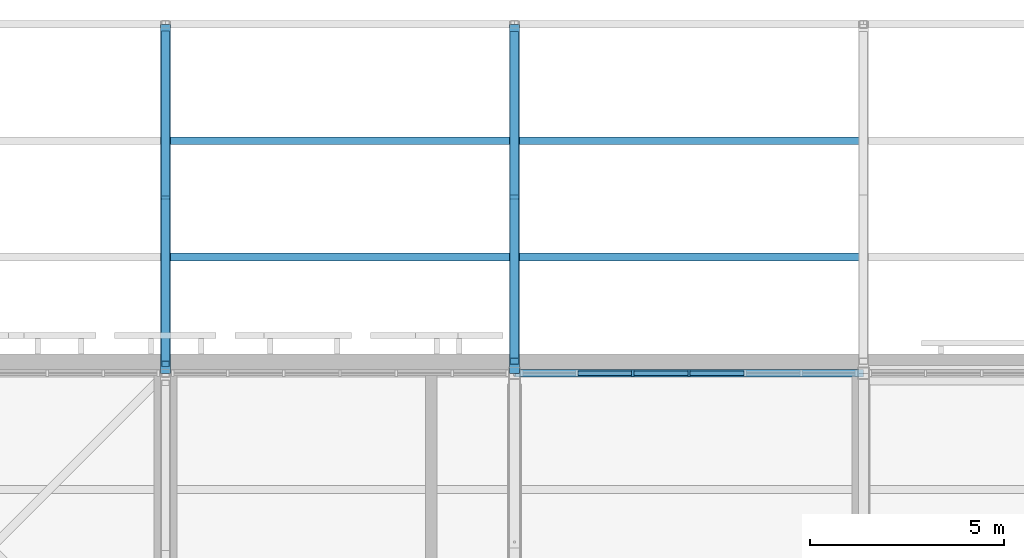
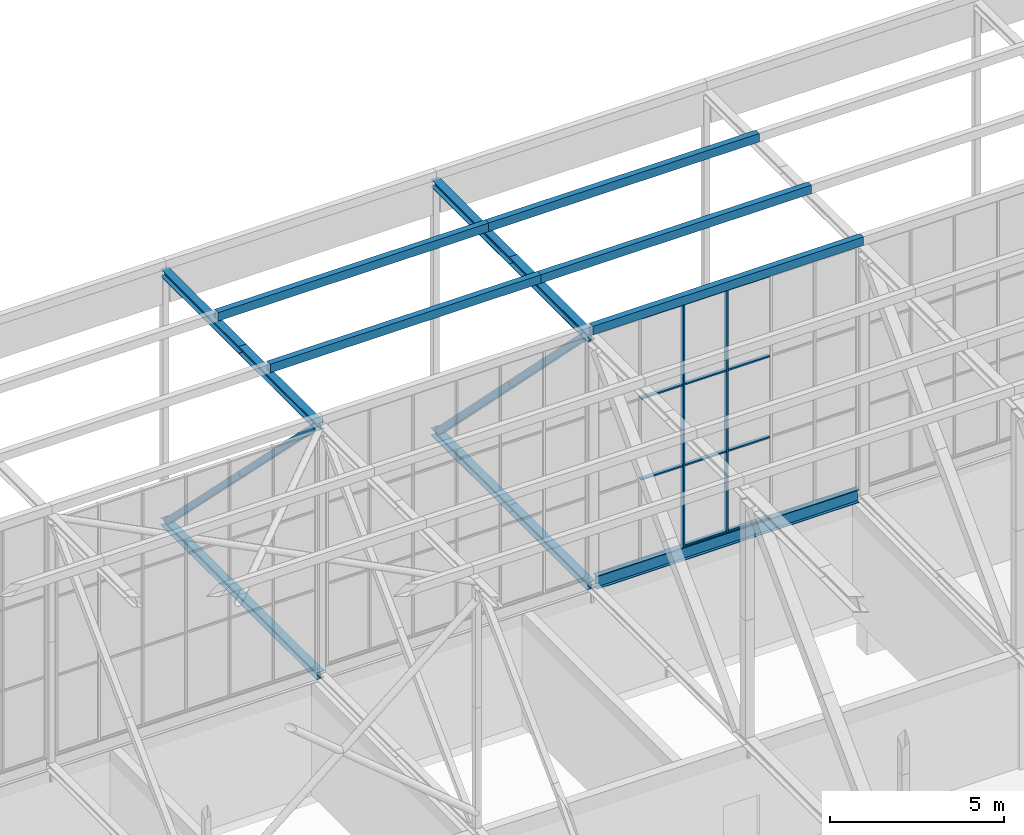
# One storey, part 120 of 646: 30 members, 1 beam, 1 element without a shape of its own.
"""IFC4 building model written with IfcOpenShell, lengths in metres."""

import ifcopenshell
import ifcopenshell.guid

model = None  # the IFC model being written
_history = None  # IfcOwnerHistory: only IFC2X3 demands one
_inside = {}  # id of a spatial element -> (the spatial element, [elements in it])
_under = {}  # id of a project, library or spatial element -> (it, [spatial elements below it])
_declared = {}  # id of a project -> (the project, [libraries it declares])
_typed = {}  # id of a type object -> (the type object, [elements of that type])
_made_of = {}  # id of a material, layer set ... -> (it, [elements and type objects made of it])


def new_model(schema):
    """Start an empty IFC model of exactly this schema.

    Asked for "IFC4X3", IfcOpenShell would pick the latest addendum, in which some entities
    have other attributes; the version numbers below select the first issue.
    IFC2X3 requires an IfcOwnerHistory on every rooted entity: one is made here for all.
    """
    global model, _history
    if schema == "IFC4X3":
        model = ifcopenshell.file(schema_version=(4, 3, 0, 0))
    else:
        model = ifcopenshell.file(schema=schema)
    _inside.clear()
    _under.clear()
    _declared.clear()
    _typed.clear()
    _made_of.clear()
    _history = None
    if model.schema == "IFC2X3":
        org = make("IfcOrganization", Name="unknown")
        user = make(
            "IfcPersonAndOrganization",
            ThePerson=make("IfcPerson", FamilyName="unknown"),
            TheOrganization=org,
        )
        app = make(
            "IfcApplication",
            ApplicationDeveloper=org,
            Version="unknown",
            ApplicationFullName="unknown",
            ApplicationIdentifier="unknown",
        )
        _history = make(
            "IfcOwnerHistory",
            OwningUser=user,
            OwningApplication=app,
            ChangeAction="ADDED",
            CreationDate=0,
        )
    return model


def make(cls, **values):
    """One entity of the class cls with the attributes given. An attribute that is None is left unset."""
    return model.create_entity(
        cls, **{name: value for name, value in values.items() if value is not None}
    )


def rooted(cls, **values):
    """An entity with a GlobalId (a new one), such as an element, a storey or a relation."""
    return make(cls, GlobalId=ifcopenshell.guid.new(), OwnerHistory=_history, **values)


def si_unit(unit_type, name, prefix=None):
    """IfcSIUnit, for example si_unit("LENGTHUNIT", "METRE", prefix="MILLI")."""
    return make("IfcSIUnit", UnitType=unit_type, Prefix=prefix, Name=name)


def assignment(units):
    """IfcUnitAssignment: the units of a project."""
    return None if units is None else make("IfcUnitAssignment", Units=units)


def point(xyz):
    """IfcCartesianPoint."""
    return None if xyz is None else make("IfcCartesianPoint", Coordinates=xyz)


def direction(xyz):
    """IfcDirection."""
    return None if xyz is None else make("IfcDirection", DirectionRatios=xyz)


def frame(location, z_axis=None, x_axis=None):
    """IfcAxis2Placement3D, a coordinate frame: its origin and axes. An axis left out is left unset."""
    return make(
        "IfcAxis2Placement3D",
        Location=point(location),
        Axis=direction(z_axis),
        RefDirection=direction(x_axis),
    )


def frame_2d(location, x_axis=None):
    """IfcAxis2Placement2D, a coordinate frame in the plane: its origin and x axis."""
    return make(
        "IfcAxis2Placement2D", Location=point(location), RefDirection=direction(x_axis)
    )


def origin():
    """The frame at (0, 0, 0) with its axes left unset."""
    return frame((0.0, 0.0, 0.0))


def origin_2d():
    """The frame at (0, 0) in the plane with its x axis left unset."""
    return frame_2d((0.0, 0.0))


def place(relative_to, where):
    """IfcLocalPlacement: puts the frame where relative to a parent placement (None: the world)."""
    return make(
        "IfcLocalPlacement", PlacementRelTo=relative_to, RelativePlacement=where
    )


def context(
    kind, dimensions, precision=None, world=None, true_north=None, identifier=None
):
    """IfcGeometricRepresentationContext, for example the 3D "Model" context."""
    return make(
        "IfcGeometricRepresentationContext",
        ContextIdentifier=identifier,
        ContextType=kind,
        CoordinateSpaceDimension=dimensions,
        Precision=precision,
        WorldCoordinateSystem=world,
        TrueNorth=true_north,
    )


def subcontext(parent, identifier, kind, view, scale=None):
    """IfcGeometricRepresentationSubContext, for example "Body" below "Model"."""
    return make(
        "IfcGeometricRepresentationSubContext",
        ContextIdentifier=identifier,
        ContextType=kind,
        ParentContext=parent,
        TargetScale=scale,
        TargetView=view,
    )


def project(units=None, contexts=None):
    """IfcProject with its units and contexts."""
    return rooted(
        "IfcProject",
        Name="project",
        RepresentationContexts=contexts,
        UnitsInContext=assignment(units),
    )


def spatial(cls, under=None, at=None, **own):
    """A site, building, storey or space (cls), placed at a placement, below another one or the project."""
    s = rooted(cls, ObjectPlacement=at, **own)
    if under is not None:
        _under.setdefault(under.id(), (under, []))[1].append(s)
    return s


def profile(cls, at=None, kind="AREA", **sizes):
    """A parametric profile (cls). Its sizes go by their IFC names, for example OverallWidth=200.0."""
    return make(cls, ProfileType=kind, Position=at, **sizes)


def rectangle(**sizes):
    """IfcRectangleProfileDef."""
    return profile("IfcRectangleProfileDef", **sizes)


def hollow_rectangle(**sizes):
    """IfcRectangleHollowProfileDef."""
    return profile("IfcRectangleHollowProfileDef", **sizes)


def i_section(**sizes):
    """IfcIShapeProfileDef."""
    return profile("IfcIShapeProfileDef", **sizes)


def extrude(swept, where, along, depth):
    """IfcExtrudedAreaSolid: the profile swept, set in the frame where, extruded along a direction by depth."""
    return make(
        "IfcExtrudedAreaSolid",
        SweptArea=swept,
        Position=where,
        ExtrudedDirection=direction(along),
        Depth=depth,
    )


def shape(context_of_items, identifier, shape_type, items):
    """IfcShapeRepresentation: the items that make up one representation, for example the "Body"."""
    return make(
        "IfcShapeRepresentation",
        ContextOfItems=context_of_items,
        RepresentationIdentifier=identifier,
        RepresentationType=shape_type,
        Items=items,
    )


def material(Name=None, Category=None):
    """IfcMaterial."""
    return make("IfcMaterial", Name=Name, Category=Category)


def material_profile(
    of_material, cross_section, Name=None, Category=None, Priority=None
):
    """IfcMaterialProfile: a cross section and its material."""
    return make(
        "IfcMaterialProfile",
        Name=Name,
        Material=of_material,
        Profile=cross_section,
        Priority=Priority,
        Category=Category,
    )


def profile_set(profiles, Name=None, composite=None):
    """IfcMaterialProfileSet."""
    return make(
        "IfcMaterialProfileSet",
        Name=Name,
        MaterialProfiles=profiles,
        CompositeProfile=composite,
    )


def made_of(thing, what):
    """Note that an element or type object is made of a material, layer set ...; save() writes the relation."""
    if what is not None:
        _made_of.setdefault(what.id(), (what, []))[1].append(thing)
    return thing


def type_object(cls, material=None, **own):
    """A type object (cls), such as IfcWallType, which elements share."""
    return made_of(rooted(cls, **own), material)


def element(
    cls,
    number,
    at=None,
    inside=None,
    cuts=None,
    type_object=None,
    material=None,
    context=None,
    identifier="Body",
    shape_type=None,
    held_by="IfcProductDefinitionShape",
    body=None,
    shapes=None,
    **own,
):
    """One element of the class cls, such as IfcWall. Its Tag is "e" and its number.

    at: its placement. inside: the storey or other place that contains it. cuts: it is an
    opening in that element (IfcRelVoidsElement). A single representation is given by context,
    identifier, shape_type and body (its items); several are given by shapes. held_by: the class
    of the entity that holds the representations. save() writes the other relations.
    """
    e = rooted(cls, Tag="e%d" % number, ObjectPlacement=at, **own)
    if body is not None:
        shapes = [shape(context, identifier, shape_type, body)]
    if shapes is not None:
        e.Representation = make(held_by, Representations=shapes)
    if inside is not None:
        _inside.setdefault(inside.id(), (inside, []))[1].append(e)
    if cuts is not None:
        rooted(
            "IfcRelVoidsElement", RelatingBuildingElement=cuts, RelatedOpeningElement=e
        )
    if type_object is not None:
        _typed.setdefault(type_object.id(), (type_object, []))[1].append(e)
    return made_of(e, material)


def aggregate(whole, parts):
    """IfcRelAggregates: a whole, such as a stair, and the parts it consists of."""
    return rooted("IfcRelAggregates", RelatingObject=whole, RelatedObjects=parts)


def save(model, path):
    """Write the relations noted so far, then the file.

    IfcRelAggregates (storeys below a building ...), IfcRelContainedInSpatialStructure (elements
    in a storey), IfcRelDefinesByType, IfcRelAssociatesMaterial and IfcRelDeclares: one each for
    every whole, place, type object, material and project.
    """
    for whole, parts in _under.values():
        aggregate(whole, parts)
    for where, things in _inside.values():
        rooted(
            "IfcRelContainedInSpatialStructure",
            RelatedElements=things,
            RelatingStructure=where,
        )
    for kind, things in _typed.values():
        rooted("IfcRelDefinesByType", RelatedObjects=things, RelatingType=kind)
    for what, things in _made_of.values():
        rooted("IfcRelAssociatesMaterial", RelatedObjects=things, RelatingMaterial=what)
    for by, libraries in _declared.values():
        rooted("IfcRelDeclares", RelatingContext=by, RelatedDefinitions=libraries)
    model.write(path)


model = new_model("IFC4")

# Units and contexts
model_context = context("Model", 3, precision=1e-05, world=origin(), true_north=direction((0.0, 1.0)))
body_context = subcontext(model_context, "Body", "Model", "MODEL_VIEW")
ifc_project = project(units=[si_unit("LENGTHUNIT", "METRE"), si_unit("AREAUNIT", "SQUARE_METRE"), si_unit("VOLUMEUNIT", "CUBIC_METRE"), si_unit("PLANEANGLEUNIT", "RADIAN"), si_unit("MASSUNIT", "GRAM", prefix="KILO")], contexts=[model_context])

# Site, building, storey
site_placement = place(None, origin())
site = spatial("IfcSite", under=ifc_project, at=site_placement, CompositionType="ELEMENT")
building_placement = place(site_placement, origin())
building = spatial("IfcBuilding", under=site, at=building_placement, Name="Silverbay Arena", CompositionType="ELEMENT")
storey_placement = place(building_placement, frame((0.0, 0.0, 33.5)))
storey = spatial("IfcBuildingStorey", under=building, at=storey_placement, Name="L05", CompositionType="ELEMENT", Elevation=33.5)

# Members
ifc_material_1 = material(Name="Steel S355", Category="steel")
ifc_material_profile_1 = material_profile(ifc_material_1, i_section(OverallWidth=0.2587890625, OverallDepth=0.2666015625, WebThickness=0.0126953125, FlangeThickness=0.0205078125, at=origin_2d()), Name="UC 254x254x107")
ifc_profile_set_1 = profile_set([ifc_material_profile_1], Name="Steel S355")
member_type_1 = type_object("IfcMemberType", Name="Main-span bottom chord UC 254x254x107", PredefinedType="CHORD", material=ifc_profile_set_1)
for number, where, z_axis, x_axis, name in (
    (1, (108.0, 144.0, 4.13330078125), (0.0, 1.0, 0.0), (-1.0, 0.0, 0.0), "ROOF TRUSS 13 bottom chord 16a"),
    (2, (108.0, 148.5, 4.13330078125), (0.0, 1.0, 0.0), (-1.0, 0.0, 0.0), "ROOF TRUSS 13 bottom chord 16b"),
):
    element("IfcMember", number, at=place(storey_placement, frame(where, z_axis=z_axis, x_axis=x_axis)), inside=storey, type_object=member_type_1, Name=name, PredefinedType="CHORD", context=body_context, shape_type="SweptSolid", body=[
        extrude(i_section(OverallWidth=0.2587890625, OverallDepth=0.2666015625, WebThickness=0.0126953125, FlangeThickness=0.0205078125, at=origin_2d()), origin(), (0.0, 0.0, 1.0), 4.5),
    ])
ifc_material_2 = material(Name="Steel S355", Category="steel")
ifc_material_profile_2 = material_profile(ifc_material_2, i_section(OverallWidth=0.2587890625, OverallDepth=0.2666015625, WebThickness=0.0126953125, FlangeThickness=0.0205078125, at=origin_2d()), Name="UC 254x254x107")
ifc_profile_set_2 = profile_set([ifc_material_profile_2], Name="Steel S355")
member_type_2 = type_object("IfcMemberType", Name="Main-span top chord UC 254x254x107", PredefinedType="CHORD", material=ifc_profile_set_2)
for number, where, z_axis, x_axis, name in (
    (3, (108.0, 144.0, 12.86669921875), (0.0, 1.0, 0.0), (-1.0, 0.0, 0.0), "ROOF TRUSS 13 top chord 16a"),
    (4, (108.0, 148.5, 12.86669921875), (0.0, 1.0, 0.0), (-1.0, 0.0, 0.0), "ROOF TRUSS 13 top chord 16b"),
):
    element("IfcMember", number, at=place(storey_placement, frame(where, z_axis=z_axis, x_axis=x_axis)), inside=storey, type_object=member_type_2, Name=name, PredefinedType="CHORD", context=body_context, shape_type="SweptSolid", body=[
        extrude(i_section(OverallWidth=0.2587890625, OverallDepth=0.2666015625, WebThickness=0.0126953125, FlangeThickness=0.0205078125, at=origin_2d()), origin(), (0.0, 0.0, 1.0), 4.5),
    ])
ifc_material_3 = material(Name="Steel S355", Category="steel")
ifc_material_profile_3 = material_profile(ifc_material_3, hollow_rectangle(XDim=0.219970703125, YDim=0.219970703125, WallThickness=0.008056640625, at=origin_2d()), Name="SHS 220x220x8")
ifc_profile_set_3 = profile_set([ifc_material_profile_3], Name="Steel S355")
member_type_3 = type_object("IfcMemberType", Name="Main-span truss diagonal SHS 220x220x8", PredefinedType="BRACE", material=ifc_profile_set_3)
member_1_placement = place(storey_placement, frame((108.0, 144.310546875, 12.7333984375), z_axis=(0.0, 0.70551102507, -0.708698944196), x_axis=(-1.0, 0.0, 0.0)))
element("IfcMember", 5, at=member_1_placement, inside=storey, type_object=member_type_3, Name="ROOF TRUSS 13 diagonal 16a", PredefinedType="BRACE", context=body_context, shape_type="SweptSolid", body=[
    extrude(hollow_rectangle(XDim=0.219970703125, YDim=0.219970703125, WallThickness=0.008056640625, at=origin_2d()), origin(), (0.0, 0.0, 1.0), 5.973388671875),
])
member_2_placement = place(storey_placement, frame((108.0, 148.52490234375, 8.5), z_axis=(0.0, 0.705531551692, -0.708678509317), x_axis=(-1.0, 0.0, 0.0)))
element("IfcMember", 6, at=member_2_placement, inside=storey, type_object=member_type_3, Name="ROOF TRUSS 13 diagonal 16b", PredefinedType="BRACE", context=body_context, shape_type="SweptSolid", body=[
    extrude(hollow_rectangle(XDim=0.219970703125, YDim=0.219970703125, WallThickness=0.008056640625, at=origin_2d()), origin(), (0.0, 0.0, 1.0), 5.9736328125),
])
ifc_material_4 = material(Name="Steel S355", Category="steel")
ifc_material_profile_4 = material_profile(ifc_material_4, i_section(OverallWidth=0.254638671875, OverallDepth=0.254150390625, WebThickness=0.008544921875, FlangeThickness=0.01416015625, at=origin_2d()), Name="UC 254x254x73")
ifc_profile_set_4 = profile_set([ifc_material_profile_4], Name="Steel S355")
member_type_4 = type_object("IfcMemberType", Name="Medium-span bottom chord UC 254x254x73", PredefinedType="CHORD", material=ifc_profile_set_4)
for number, where, z_axis, x_axis, name in (
    (7, (99.0, 144.0, 4.126953125), (0.0, 1.0, 0.0), (-1.0, 0.0, 0.0), "ROOF TRUSS 12 bottom chord 16a"),
    (8, (99.0, 148.5, 4.126953125), (0.0, 1.0, 0.0), (-1.0, 0.0, 0.0), "ROOF TRUSS 12 bottom chord 16b"),
):
    element("IfcMember", number, at=place(storey_placement, frame(where, z_axis=z_axis, x_axis=x_axis)), inside=storey, type_object=member_type_4, Name=name, PredefinedType="CHORD", context=body_context, shape_type="SweptSolid", body=[
        extrude(i_section(OverallWidth=0.254638671875, OverallDepth=0.254150390625, WebThickness=0.008544921875, FlangeThickness=0.01416015625, at=origin_2d()), origin(), (0.0, 0.0, 1.0), 4.5),
    ])
ifc_material_5 = material(Name="Steel S355", Category="steel")
ifc_material_profile_5 = material_profile(ifc_material_5, i_section(OverallWidth=0.254638671875, OverallDepth=0.254150390625, WebThickness=0.008544921875, FlangeThickness=0.01416015625, at=origin_2d()), Name="UC 254x254x73")
ifc_profile_set_5 = profile_set([ifc_material_profile_5], Name="Steel S355")
member_type_5 = type_object("IfcMemberType", Name="Medium-span top chord UC 254x254x73", PredefinedType="CHORD", material=ifc_profile_set_5)
for number, where, z_axis, x_axis, name in (
    (9, (99.0, 144.0, 12.873046875), (0.0, 1.0, 0.0), (-1.0, 0.0, 0.0), "ROOF TRUSS 12 top chord 16a"),
    (10, (99.0, 148.5, 12.873046875), (0.0, 1.0, 0.0), (-1.0, 0.0, 0.0), "ROOF TRUSS 12 top chord 16b"),
):
    element("IfcMember", number, at=place(storey_placement, frame(where, z_axis=z_axis, x_axis=x_axis)), inside=storey, type_object=member_type_5, Name=name, PredefinedType="CHORD", context=body_context, shape_type="SweptSolid", body=[
        extrude(i_section(OverallWidth=0.254638671875, OverallDepth=0.254150390625, WebThickness=0.008544921875, FlangeThickness=0.01416015625, at=origin_2d()), origin(), (0.0, 0.0, 1.0), 4.5),
    ])
ifc_material_6 = material(Name="Steel S355", Category="steel")
ifc_material_profile_6 = material_profile(ifc_material_6, hollow_rectangle(XDim=0.199951171875, YDim=0.199951171875, WallThickness=0.008056640625, at=origin_2d()), Name="SHS 200x200x8")
ifc_profile_set_6 = profile_set([ifc_material_profile_6], Name="Steel S355")
member_type_6 = type_object("IfcMemberType", Name="Medium-span truss diagonal SHS 200x200x8", PredefinedType="BRACE", material=ifc_profile_set_6)
for number, where, z_axis, x_axis, name in (
    (11, (99.0, 144.24560546875, 12.745849609375), (0.0, 0.70781724692, -0.706395600894), (-1.0, 0.0, 0.0), "ROOF TRUSS 12 diagonal 16a"),
    (12, (99.0, 148.5, 8.5), (0.0, 0.70781724692, -0.706395600894), (-1.0, 0.0, 0.0), "ROOF TRUSS 12 diagonal 16b"),
):
    element("IfcMember", number, at=place(storey_placement, frame(where, z_axis=z_axis, x_axis=x_axis)), inside=storey, type_object=member_type_6, Name=name, PredefinedType="BRACE", context=body_context, shape_type="SweptSolid", body=[
        extrude(hollow_rectangle(XDim=0.199951171875, YDim=0.199951171875, WallThickness=0.008056640625, at=origin_2d()), origin(), (0.0, 0.0, 1.0), 6.010498046875),
    ])

# Curtain wall, members
ifc_material_7 = material(Name="Aluminium framed glazing", Category="aluminium")
curtain_wall_type = type_object("IfcCurtainWallType", Name="Curtain wall clerestory 8693 x 8540", PredefinedType="NOTDEFINED", material=ifc_material_7)
curtain_wall_placement = place(storey_placement, origin())
curtain_wall = element("IfcCurtainWall", 13, at=curtain_wall_placement, inside=storey, type_object=curtain_wall_type, Name="ROOF CLERESTORY CURTAIN WALL north bay 07", PredefinedType="NOTDEFINED")
ifc_material_8 = material(Name="Aluminium", Category="aluminium")
ifc_material_profile_7 = material_profile(ifc_material_8, rectangle(XDim=0.159912109375, YDim=0.06005859375, at=origin_2d()), Name="Mullion 60 x 160")
ifc_profile_set_7 = profile_set([ifc_material_profile_7], Name="Aluminium")
member_type_7 = type_object("IfcMemberType", Name="Mullion 60 x 160", PredefinedType="MULLION", material=ifc_profile_set_7)
member_3_placement = place(storey_placement, frame((111.05126953125, 144.0, 4.4599609375), z_axis=(0.0, 0.0, 1.0), x_axis=(0.0, 1.0, 0.0)))
member_3 = element("IfcMember", 14, at=member_3_placement, type_object=member_type_7, Name="CW55 mullion 3", PredefinedType="MULLION", context=body_context, shape_type="SweptSolid", body=[
    extrude(rectangle(XDim=0.159912109375, YDim=0.06005859375, at=origin_2d()), origin(), (0.0, 0.0, 1.0), 8.5400390625),
])
member_4_placement = place(storey_placement, frame((112.5, 144.0, 4.4599609375), z_axis=(0.0, 0.0, 1.0), x_axis=(0.0, 1.0, 0.0)))
member_4 = element("IfcMember", 15, at=member_4_placement, type_object=member_type_7, Name="CW55 mullion 4", PredefinedType="MULLION", context=body_context, shape_type="SweptSolid", body=[
    extrude(rectangle(XDim=0.159912109375, YDim=0.06005859375, at=origin_2d()), origin(), (0.0, 0.0, 1.0), 8.5400390625),
])

# Members
ifc_material_9 = material(Name="Steel S355", Category="steel")
ifc_material_profile_8 = material_profile(ifc_material_9, hollow_rectangle(XDim=0.199951171875, YDim=0.300048828125, WallThickness=0.008056640625, at=origin_2d()), Name="RHS 300x200x8")
ifc_profile_set_8 = profile_set([ifc_material_profile_8], Name="Steel S355")
member_type_8 = type_object("IfcMemberType", Name="Purlin RHS 300x200x8", PredefinedType="PURLIN", material=ifc_profile_set_8)
for number, where, z_axis, x_axis, name in (
    (16, (99.0, 147.0, 13.14990234375), (1.0, 0.0, 0.0), (0.0, 1.0, 0.0), "ROOF PURLIN 12-13 line 47"),
    (17, (99.0, 150.0, 13.14990234375), (1.0, 0.0, 0.0), (0.0, 1.0, 0.0), "ROOF PURLIN 12-13 line 48"),
    (18, (108.0, 144.0, 13.14990234375), (1.0, 0.0, 0.0), (0.0, 1.0, 0.0), "ROOF PURLIN 13-14 line 46"),
    (19, (108.0, 147.0, 13.14990234375), (1.0, 0.0, 0.0), (0.0, 1.0, 0.0), "ROOF PURLIN 13-14 line 47"),
    (20, (108.0, 150.0, 13.14990234375), (1.0, 0.0, 0.0), (0.0, 1.0, 0.0), "ROOF PURLIN 13-14 line 48"),
):
    element("IfcMember", number, at=place(storey_placement, frame(where, z_axis=z_axis, x_axis=x_axis)), inside=storey, type_object=member_type_8, Name=name, PredefinedType="PURLIN", context=body_context, shape_type="SweptSolid", body=[
        extrude(hollow_rectangle(XDim=0.199951171875, YDim=0.300048828125, WallThickness=0.008056640625, at=origin_2d()), origin(), (0.0, 0.0, 1.0), 9.0),
    ])

# Beam
ifc_material_10 = material(Name="Steel S355", Category="steel")
ifc_material_profile_9 = material_profile(ifc_material_10, i_section(OverallWidth=0.19140625, OverallDepth=0.4599609375, WebThickness=0.010009765625, FlangeThickness=0.01611328125, at=origin_2d()), Name="UB 457x191x82")
ifc_profile_set_9 = profile_set([ifc_material_profile_9], Name="Steel S355")
beam_type = type_object("IfcBeamType", Name="Ring beam UB 457x191x82", PredefinedType="BEAM", material=ifc_profile_set_9)
beam_placement = place(storey_placement, frame((108.12939453125, 144.0, 4.22998046875), z_axis=(1.0, 0.0, 0.0), x_axis=(0.0, 1.0, 0.0)))
element("IfcBeam", 21, at=beam_placement, inside=storey, type_object=beam_type, Name="RING BEAM north facade 13-14", PredefinedType="BEAM", context=body_context, shape_type="SweptSolid", body=[
    extrude(i_section(OverallWidth=0.19140625, OverallDepth=0.4599609375, WebThickness=0.010009765625, FlangeThickness=0.01611328125, at=origin_2d()), origin(), (0.0, 0.0, 1.0), 8.7412109375),
])

# Member
ifc_material_11 = material(Name="Aluminium", Category="aluminium")
ifc_material_profile_10 = material_profile(ifc_material_11, rectangle(XDim=0.1201171875, YDim=0.050048828125, at=origin_2d()), Name="Transom 50 x 120")
ifc_profile_set_10 = profile_set([ifc_material_profile_10], Name="Aluminium")
member_type_9 = type_object("IfcMemberType", Name="Transom 50 x 120", PredefinedType="USERDEFINED", material=ifc_profile_set_10)
member_5_placement = place(storey_placement, frame((109.632568359375, 144.0, 7.306640625), z_axis=(1.0, 0.0, 0.0), x_axis=(0.0, 1.0, 0.0)))
member_5 = element("IfcMember", 22, at=member_5_placement, type_object=member_type_9, Name="CW55 transom 2.2", ObjectType="TRANSOM", PredefinedType="USERDEFINED", context=body_context, shape_type="SweptSolid", body=[
    extrude(rectangle(XDim=0.1201171875, YDim=0.050048828125, at=origin_2d()), origin(), (0.0, 0.0, 1.0), 1.388671875),
])

member_6_placement = place(storey_placement, frame((109.632568359375, 144.0, 10.1533203125), z_axis=(1.0, 0.0, 0.0), x_axis=(0.0, 1.0, 0.0)))
member_6 = element("IfcMember", 23, at=member_6_placement, type_object=member_type_9, Name="CW55 transom 2.3", ObjectType="TRANSOM", PredefinedType="USERDEFINED", context=body_context, shape_type="SweptSolid", body=[
    extrude(rectangle(XDim=0.1201171875, YDim=0.050048828125, at=origin_2d()), origin(), (0.0, 0.0, 1.0), 1.388671875),
])

member_7_placement = place(storey_placement, frame((109.632568359375, 144.0, 12.97509765625), z_axis=(1.0, 0.0, 0.0), x_axis=(0.0, 1.0, 0.0)))
member_7 = element("IfcMember", 24, at=member_7_placement, type_object=member_type_9, Name="CW55 transom 2.4", ObjectType="TRANSOM", PredefinedType="USERDEFINED", context=body_context, shape_type="SweptSolid", body=[
    extrude(rectangle(XDim=0.1201171875, YDim=0.050048828125, at=origin_2d()), origin(), (0.0, 0.0, 1.0), 1.388671875),
])

member_8_placement = place(storey_placement, frame((111.081298828125, 144.0, 4.485107421875), z_axis=(1.0, 0.0, 0.0), x_axis=(0.0, 1.0, 0.0)))
member_8 = element("IfcMember", 25, at=member_8_placement, type_object=member_type_9, Name="CW55 transom 3.1", ObjectType="TRANSOM", PredefinedType="USERDEFINED", context=body_context, shape_type="SweptSolid", body=[
    extrude(rectangle(XDim=0.1201171875, YDim=0.050048828125, at=origin_2d()), origin(), (0.0, 0.0, 1.0), 1.388671875),
])

member_9_placement = place(storey_placement, frame((111.081298828125, 144.0, 7.306640625), z_axis=(1.0, 0.0, 0.0), x_axis=(0.0, 1.0, 0.0)))
member_9 = element("IfcMember", 26, at=member_9_placement, type_object=member_type_9, Name="CW55 transom 3.2", ObjectType="TRANSOM", PredefinedType="USERDEFINED", context=body_context, shape_type="SweptSolid", body=[
    extrude(rectangle(XDim=0.1201171875, YDim=0.050048828125, at=origin_2d()), origin(), (0.0, 0.0, 1.0), 1.388671875),
])

member_10_placement = place(storey_placement, frame((111.081298828125, 144.0, 10.1533203125), z_axis=(1.0, 0.0, 0.0), x_axis=(0.0, 1.0, 0.0)))
member_10 = element("IfcMember", 27, at=member_10_placement, type_object=member_type_9, Name="CW55 transom 3.3", ObjectType="TRANSOM", PredefinedType="USERDEFINED", context=body_context, shape_type="SweptSolid", body=[
    extrude(rectangle(XDim=0.1201171875, YDim=0.050048828125, at=origin_2d()), origin(), (0.0, 0.0, 1.0), 1.388671875),
])

member_11_placement = place(storey_placement, frame((111.081298828125, 144.0, 12.97509765625), z_axis=(1.0, 0.0, 0.0), x_axis=(0.0, 1.0, 0.0)))
member_11 = element("IfcMember", 28, at=member_11_placement, type_object=member_type_9, Name="CW55 transom 3.4", ObjectType="TRANSOM", PredefinedType="USERDEFINED", context=body_context, shape_type="SweptSolid", body=[
    extrude(rectangle(XDim=0.1201171875, YDim=0.050048828125, at=origin_2d()), origin(), (0.0, 0.0, 1.0), 1.388671875),
])

member_12_placement = place(storey_placement, frame((112.530029296875, 144.0, 4.485107421875), z_axis=(1.0, 0.0, 0.0), x_axis=(0.0, 1.0, 0.0)))
member_12 = element("IfcMember", 29, at=member_12_placement, type_object=member_type_9, Name="CW55 transom 4.1", ObjectType="TRANSOM", PredefinedType="USERDEFINED", context=body_context, shape_type="SweptSolid", body=[
    extrude(rectangle(XDim=0.1201171875, YDim=0.050048828125, at=origin_2d()), origin(), (0.0, 0.0, 1.0), 1.388671875),
])

member_13_placement = place(storey_placement, frame((112.530029296875, 144.0, 7.306640625), z_axis=(1.0, 0.0, 0.0), x_axis=(0.0, 1.0, 0.0)))
member_13 = element("IfcMember", 30, at=member_13_placement, type_object=member_type_9, Name="CW55 transom 4.2", ObjectType="TRANSOM", PredefinedType="USERDEFINED", context=body_context, shape_type="SweptSolid", body=[
    extrude(rectangle(XDim=0.1201171875, YDim=0.050048828125, at=origin_2d()), origin(), (0.0, 0.0, 1.0), 1.388671875),
])

member_14_placement = place(storey_placement, frame((112.530029296875, 144.0, 10.1533203125), z_axis=(1.0, 0.0, 0.0), x_axis=(0.0, 1.0, 0.0)))
member_14 = element("IfcMember", 31, at=member_14_placement, type_object=member_type_9, Name="CW55 transom 4.3", ObjectType="TRANSOM", PredefinedType="USERDEFINED", context=body_context, shape_type="SweptSolid", body=[
    extrude(rectangle(XDim=0.1201171875, YDim=0.050048828125, at=origin_2d()), origin(), (0.0, 0.0, 1.0), 1.388671875),
])

member_15_placement = place(storey_placement, frame((112.530029296875, 144.0, 12.97509765625), z_axis=(1.0, 0.0, 0.0), x_axis=(0.0, 1.0, 0.0)))
member_15 = element("IfcMember", 32, at=member_15_placement, type_object=member_type_9, Name="CW55 transom 4.4", ObjectType="TRANSOM", PredefinedType="USERDEFINED", context=body_context, shape_type="SweptSolid", body=[
    extrude(rectangle(XDim=0.1201171875, YDim=0.050048828125, at=origin_2d()), origin(), (0.0, 0.0, 1.0), 1.388671875),
])

aggregate(curtain_wall, [member_3, member_4, member_5, member_6, member_7, member_8, member_9, member_10, member_11, member_12, member_13, member_14, member_15])

save(model, "model.ifc")
